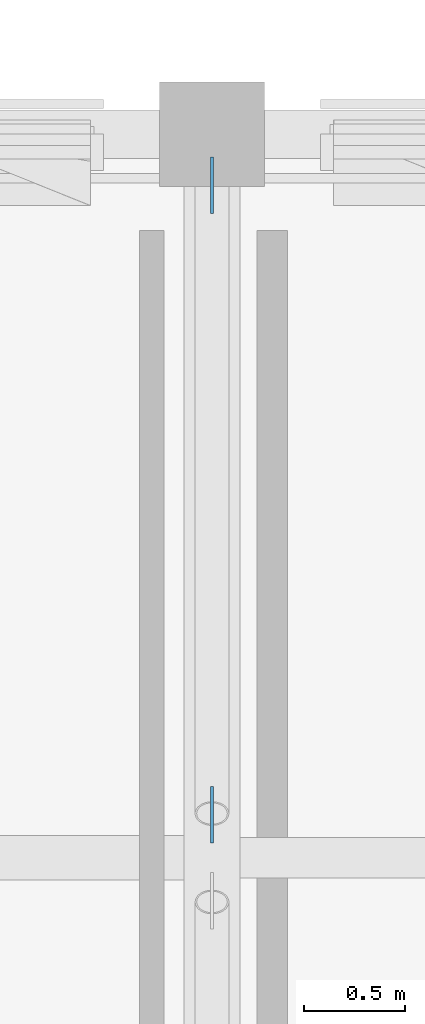
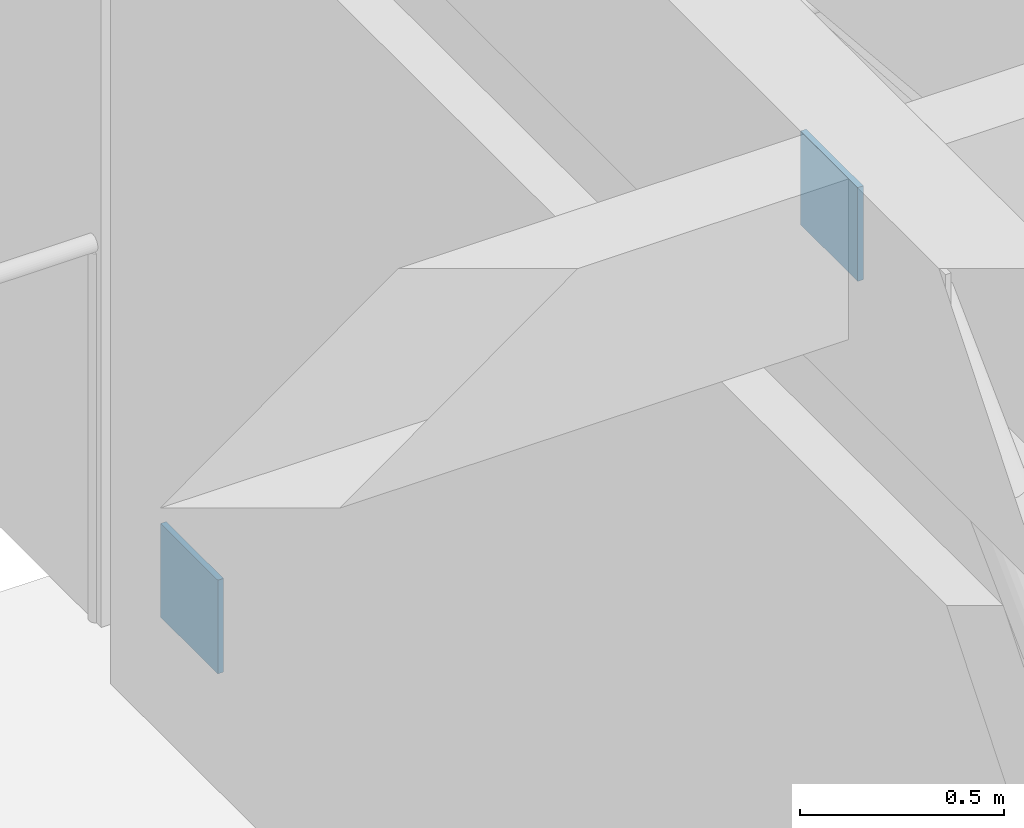
# One storey, part 28 of 48: 2 plates.
"""IFC4 building model written with IfcOpenShell, lengths in metres."""

from ifc_helpers import new_model, si_unit, direction, frame, origin, place, context, subcontext, project, spatial, polyline, outline, extrude, material, layer, layer_set, type_object, element, save


model = new_model("IFC4")

# Units and contexts
model_context = context("Model", 3, precision=1e-05, world=origin(), true_north=direction((0.0, 1.0)))
body_context = subcontext(model_context, "Body", "Model", "MODEL_VIEW")
ifc_project = project(units=[si_unit("LENGTHUNIT", "METRE"), si_unit("AREAUNIT", "SQUARE_METRE"), si_unit("VOLUMEUNIT", "CUBIC_METRE"), si_unit("PLANEANGLEUNIT", "RADIAN"), si_unit("MASSUNIT", "GRAM", prefix="KILO")], contexts=[model_context])

# Site, building, storey
site_placement = place(None, origin())
site = spatial("IfcSite", under=ifc_project, at=site_placement, CompositionType="ELEMENT")
building_placement = place(site_placement, origin())
building = spatial("IfcBuilding", under=site, at=building_placement, Name="Alvorim Cloister Faculty of Sciences", CompositionType="ELEMENT")
storey_placement = place(building_placement, frame((0.0, 0.0, 19.35009765625)))
storey = spatial("IfcBuildingStorey", under=building, at=storey_placement, Name="L05", CompositionType="ELEMENT", Elevation=19.35009765625)

# Plates
ifc_material = material(Name="Steel ASTM A572 Grade 50", Category="steel")
ifc_layer = layer(ifc_material, 0.01611328125)
ifc_layer_set = layer_set([ifc_layer], Name="Steel ASTM A572 Grade 50")
plate_type = type_object("IfcPlateType", Name="PL-CAP-16", PredefinedType="SHEET", material=ifc_layer_set)
for number, where, z_axis, x_axis, name in (
    (1, (28.800048828125, 56.28564453125, -0.145751953125), (0.0, 0.0, 1.0), (0.0, -1.0, 0.0), "Hollow Steel End Plate ND-06"),
    (2, (28.800048828125, 53.154296875, 2.925537109375), (0.0, 0.0, 1.0), (0.0, -1.0, 0.0), "Hollow Steel End Plate ND-06"),
):
    element("IfcPlate", number, at=place(storey_placement, frame(where, z_axis=z_axis, x_axis=x_axis)), inside=storey, type_object=plate_type, Name=name, PredefinedType="SHEET", context=body_context, shape_type="SweptSolid", body=[
        extrude(outline(polyline([(0.0, 0.0), (0.280029296875, 0.0), (0.280029296875, 0.280029296875), (0.0, 0.280029296875), (0.0, 0.0)])), frame((0.0, 0.008056640625, 0.0), z_axis=(0.0, -1.0, 0.0), x_axis=(1.0, 0.0, 0.0)), (0.0, 0.0, 1.0), 0.01611328125),
    ])

save(model, "model.ifc")
